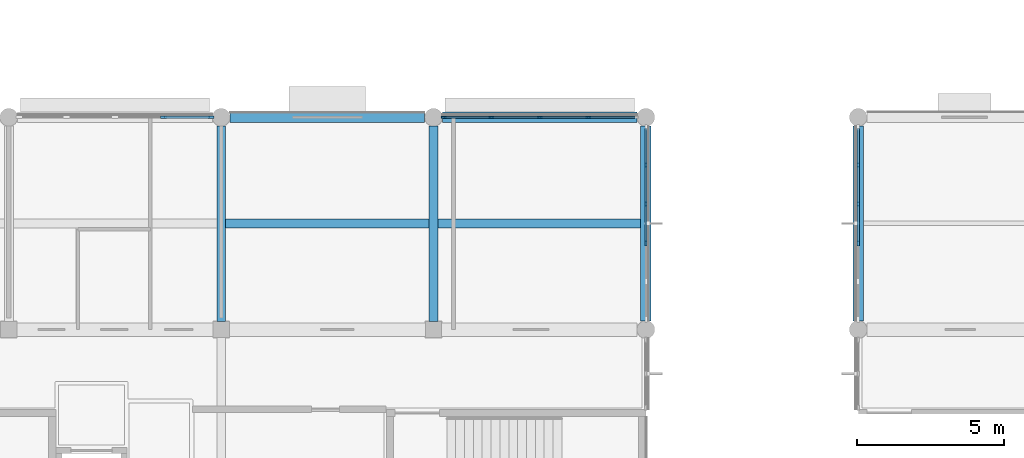
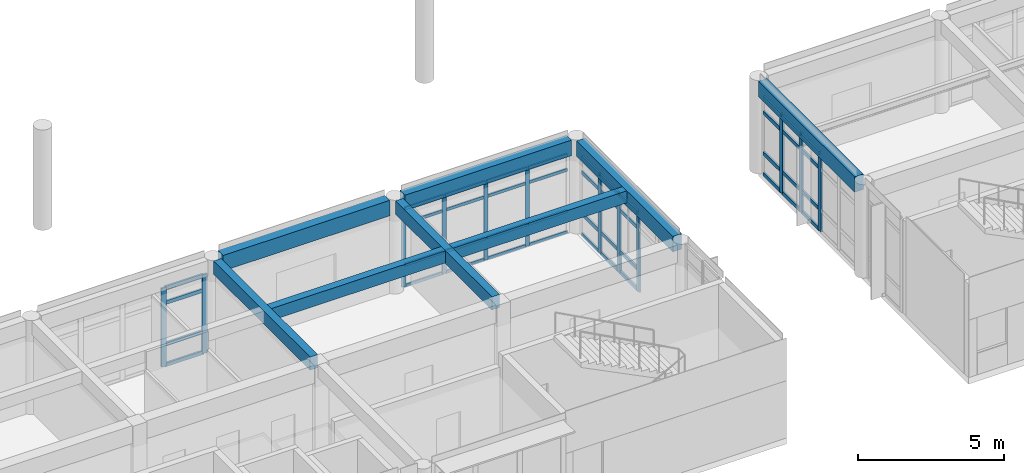
# One storey, part 6 of 29: 56 members, 8 beams, 4 elements without a shape of their own.
"""IFC4 building model written with IfcOpenShell, lengths in metres."""

from ifc_helpers import new_model, si_unit, direction, frame, origin, origin_2d, place, context, subcontext, project, spatial, rectangle, extrude, material, layer, layer_set, material_profile, profile_set, type_object, element, aggregate, save


model = new_model("IFC4")

# Units and contexts
model_context = context("Model", 3, precision=1e-05, world=origin(), true_north=direction((0.0, 1.0)))
body_context = subcontext(model_context, "Body", "Model", "MODEL_VIEW")
ifc_project = project(units=[si_unit("LENGTHUNIT", "METRE"), si_unit("AREAUNIT", "SQUARE_METRE"), si_unit("VOLUMEUNIT", "CUBIC_METRE"), si_unit("PLANEANGLEUNIT", "RADIAN"), si_unit("MASSUNIT", "GRAM", prefix="KILO")], contexts=[model_context])

# Site, building, storey
site_placement = place(None, origin())
site = spatial("IfcSite", under=ifc_project, at=site_placement, CompositionType="ELEMENT")
building_placement = place(site_placement, origin())
building = spatial("IfcBuilding", under=site, at=building_placement, Name="Namkhue Oval Health Centre", CompositionType="ELEMENT")
storey_placement = place(building_placement, frame((0.0, 0.0, 18.0)))
storey = spatial("IfcBuildingStorey", under=building, at=storey_placement, Name="L04", CompositionType="ELEMENT", Elevation=18.0)

# Curtain wall, members
ifc_material_1 = material(Name="Anodised aluminium EN AW-6063 T6", Category="aluminium")
ifc_layer_1 = layer(ifc_material_1, 0.159912109375)
ifc_layer_set_1 = layer_set([ifc_layer_1], Name="Anodised aluminium EN AW-6063 T6")
curtain_wall_type_1 = type_object("IfcCurtainWallType", Name="UNITISED CURTAIN WALL M1500", PredefinedType="NOTDEFINED", material=ifc_layer_set_1)
curtain_wall_1_placement = place(storey_placement, origin())
curtain_wall_1 = element("IfcCurtainWall", 1, at=curtain_wall_1_placement, inside=storey, type_object=curtain_wall_type_1, Name="Volume V2 L04 Unitised Curtain Wall 81", PredefinedType="NOTDEFINED")
ifc_material_profile_1 = material_profile(ifc_material_1, rectangle(XDim=0.06494140625, YDim=0.159912109375, at=origin_2d()), Name="ALU 65x160")
ifc_profile_set_1 = profile_set([ifc_material_profile_1], Name="Anodised aluminium EN AW-6063 T6")
member_type_1 = type_object("IfcMemberType", Name="CURTAIN WALL MULLION 65X160", PredefinedType="MULLION", material=ifc_profile_set_1)
member_1_placement = place(storey_placement, frame((84.445068359375, 104.39990234375, 0.0), z_axis=(0.0, 0.0, 1.0), x_axis=(0.0, -1.0, 0.0)))
member_1 = element("IfcMember", 2, at=member_1_placement, type_object=member_type_1, Name="CW-03 mullion 2", PredefinedType="MULLION", context=body_context, shape_type="SweptSolid", body=[
    extrude(rectangle(XDim=0.06494140625, YDim=0.159912109375, at=origin_2d()), origin(), (0.0, 0.0, 1.0), 3.2900390625),
])
member_2_placement = place(storey_placement, frame((82.800048828125, 104.39990234375, 0.0), z_axis=(0.0, 0.0, 1.0), x_axis=(0.0, -1.0, 0.0)))
member_2 = element("IfcMember", 3, at=member_2_placement, type_object=member_type_1, Name="CW-03 mullion 3", PredefinedType="MULLION", context=body_context, shape_type="SweptSolid", body=[
    extrude(rectangle(XDim=0.06494140625, YDim=0.159912109375, at=origin_2d()), origin(), (0.0, 0.0, 1.0), 3.2900390625),
])
member_3_placement = place(storey_placement, frame((81.155029296875, 104.39990234375, 0.0), z_axis=(0.0, 0.0, 1.0), x_axis=(0.0, -1.0, 0.0)))
member_3 = element("IfcMember", 4, at=member_3_placement, type_object=member_type_1, Name="CW-03 mullion 4", PredefinedType="MULLION", context=body_context, shape_type="SweptSolid", body=[
    extrude(rectangle(XDim=0.06494140625, YDim=0.159912109375, at=origin_2d()), origin(), (0.0, 0.0, 1.0), 3.2900390625),
])
member_4_placement = place(storey_placement, frame((79.54248046875, 104.39990234375, 0.0), z_axis=(0.0, 0.0, 1.0), x_axis=(0.0, -1.0, 0.0)))
member_4 = element("IfcMember", 5, at=member_4_placement, type_object=member_type_1, Name="CW-03 mullion 5", PredefinedType="MULLION", context=body_context, shape_type="SweptSolid", body=[
    extrude(rectangle(XDim=0.06494140625, YDim=0.159912109375, at=origin_2d()), origin(), (0.0, 0.0, 1.0), 3.2900390625),
])

ifc_layer_2 = layer(ifc_material_1, 0.159912109375)
ifc_layer_set_2 = layer_set([ifc_layer_2], Name="Anodised aluminium EN AW-6063 T6")
curtain_wall_type_2 = type_object("IfcCurtainWallType", Name="UNITISED CURTAIN WALL M1350", PredefinedType="NOTDEFINED", material=ifc_layer_set_2)
curtain_wall_2_placement = place(storey_placement, origin())
curtain_wall_2 = element("IfcCurtainWall", 6, at=curtain_wall_2_placement, inside=storey, type_object=curtain_wall_type_2, Name="Volume V2 L04 Unitised Curtain Wall 80", PredefinedType="NOTDEFINED")
ifc_material_profile_2 = material_profile(ifc_material_1, rectangle(XDim=0.074951171875, YDim=0.199951171875, at=origin_2d()), Name="ALU 75x200")
ifc_profile_set_2 = profile_set([ifc_material_profile_2], Name="Anodised aluminium EN AW-6063 T6")
member_type_2 = type_object("IfcMemberType", Name="CURTAIN WALL MULLION 75X200", PredefinedType="MULLION", material=ifc_profile_set_2)
member_5_placement = place(storey_placement, frame((86.39990234375, 100.14208984375, 0.0), z_axis=(0.0, 0.0, 1.0), x_axis=(-1.0, 0.0, 0.0)))
member_5 = element("IfcMember", 7, at=member_5_placement, type_object=member_type_2, Name="CW-02 mullion 3", PredefinedType="MULLION", context=body_context, shape_type="SweptSolid", body=[
    extrude(rectangle(XDim=0.074951171875, YDim=0.199951171875, at=origin_2d()), origin(), (0.0, 0.0, 1.0), 3.2900390625),
])
member_6_placement = place(storey_placement, frame((86.39990234375, 101.4580078125, 0.0), z_axis=(0.0, 0.0, 1.0), x_axis=(-1.0, 0.0, 0.0)))
member_6 = element("IfcMember", 8, at=member_6_placement, type_object=member_type_2, Name="CW-02 mullion 4", PredefinedType="MULLION", context=body_context, shape_type="SweptSolid", body=[
    extrude(rectangle(XDim=0.074951171875, YDim=0.199951171875, at=origin_2d()), origin(), (0.0, 0.0, 1.0), 3.2900390625),
])
member_7_placement = place(storey_placement, frame((86.39990234375, 102.77392578125, 0.0), z_axis=(0.0, 0.0, 1.0), x_axis=(-1.0, 0.0, 0.0)))
member_7 = element("IfcMember", 9, at=member_7_placement, type_object=member_type_2, Name="CW-02 mullion 5", PredefinedType="MULLION", context=body_context, shape_type="SweptSolid", body=[
    extrude(rectangle(XDim=0.074951171875, YDim=0.199951171875, at=origin_2d()), origin(), (0.0, 0.0, 1.0), 3.2900390625),
])

ifc_layer_3 = layer(ifc_material_1, 0.159912109375)
ifc_layer_set_3 = layer_set([ifc_layer_3], Name="Anodised aluminium EN AW-6063 T6")
curtain_wall_type_3 = type_object("IfcCurtainWallType", Name="UNITISED CURTAIN WALL M1600", PredefinedType="NOTDEFINED", material=ifc_layer_set_3)
curtain_wall_3_placement = place(storey_placement, origin())
curtain_wall_3 = element("IfcCurtainWall", 10, at=curtain_wall_3_placement, inside=storey, type_object=curtain_wall_type_3, Name="Volume V2 L04 Unitised Curtain Wall 82", PredefinedType="NOTDEFINED")
member_8_placement = place(storey_placement, frame((71.652587890625, 104.39990234375, 0.0), z_axis=(0.0, 0.0, 1.0), x_axis=(0.0, -1.0, 0.0)))
member_8 = element("IfcMember", 11, at=member_8_placement, type_object=member_type_2, Name="CW-04 mullion 1", PredefinedType="MULLION", context=body_context, shape_type="SweptSolid", body=[
    extrude(rectangle(XDim=0.074951171875, YDim=0.199951171875, at=origin_2d()), origin(), (0.0, 0.0, 1.0), 3.2900390625),
])
member_9_placement = place(storey_placement, frame((70.044921875, 104.39990234375, 0.0), z_axis=(0.0, 0.0, 1.0), x_axis=(0.0, -1.0, 0.0)))
member_9 = element("IfcMember", 12, at=member_9_placement, type_object=member_type_2, Name="CW-04 mullion 2", PredefinedType="MULLION", context=body_context, shape_type="SweptSolid", body=[
    extrude(rectangle(XDim=0.074951171875, YDim=0.199951171875, at=origin_2d()), origin(), (0.0, 0.0, 1.0), 3.2900390625),
])

curtain_wall_4_placement = place(storey_placement, origin())
curtain_wall_4 = element("IfcCurtainWall", 13, at=curtain_wall_4_placement, inside=storey, type_object=curtain_wall_type_2, Name="Volume V3 L04 Unitised Curtain Wall 128", PredefinedType="NOTDEFINED")
member_10_placement = place(storey_placement, frame((93.60009765625, 102.77392578125, 0.0), z_axis=(0.0, 0.0, 1.0), x_axis=(1.0, 0.0, 0.0)))
member_10 = element("IfcMember", 14, at=member_10_placement, type_object=member_type_2, Name="CW-02 mullion 2", PredefinedType="MULLION", context=body_context, shape_type="SweptSolid", body=[
    extrude(rectangle(XDim=0.074951171875, YDim=0.199951171875, at=origin_2d()), origin(), (0.0, 0.0, 1.0), 3.264892578125),
])
member_11_placement = place(storey_placement, frame((93.60009765625, 101.4580078125, 0.0), z_axis=(0.0, 0.0, 1.0), x_axis=(1.0, 0.0, 0.0)))
member_11 = element("IfcMember", 15, at=member_11_placement, type_object=member_type_2, Name="CW-02 mullion 3", PredefinedType="MULLION", context=body_context, shape_type="SweptSolid", body=[
    extrude(rectangle(XDim=0.074951171875, YDim=0.199951171875, at=origin_2d()), origin(), (0.0, 0.0, 1.0), 3.264892578125),
])
member_12_placement = place(storey_placement, frame((93.60009765625, 100.14208984375, 0.0), z_axis=(0.0, 0.0, 1.0), x_axis=(1.0, 0.0, 0.0)))
member_12 = element("IfcMember", 16, at=member_12_placement, type_object=member_type_2, Name="CW-02 mullion 4", PredefinedType="MULLION", context=body_context, shape_type="SweptSolid", body=[
    extrude(rectangle(XDim=0.074951171875, YDim=0.199951171875, at=origin_2d()), origin(), (0.0, 0.0, 1.0), 3.264892578125),
])

# Member
ifc_material_profile_3 = material_profile(ifc_material_1, rectangle(XDim=0.06494140625, YDim=0.1201171875, at=origin_2d()), Name="ALU 65x120")
ifc_profile_set_3 = profile_set([ifc_material_profile_3], Name="Anodised aluminium EN AW-6063 T6")
member_type_3 = type_object("IfcMemberType", Name="CURTAIN WALL TRANSOM 65X120", PredefinedType="USERDEFINED", material=ifc_profile_set_3)
member_13_placement = place(storey_placement, frame((86.02490234375, 104.39990234375, 0.032470703125), z_axis=(-1.0, 0.0, 0.0), x_axis=(0.0, -1.0, 0.0)))
member_13 = element("IfcMember", 17, at=member_13_placement, type_object=member_type_3, Name="CW-03 transom 1.1", ObjectType="TRANSOM", PredefinedType="USERDEFINED", context=body_context, shape_type="SweptSolid", body=[
    extrude(rectangle(XDim=0.06494140625, YDim=0.1201171875, at=origin_2d()), origin(), (0.0, 0.0, 1.0), 1.54736328125),
])

member_14_placement = place(storey_placement, frame((86.02490234375, 104.39990234375, 0.89990234375), z_axis=(-1.0, 0.0, 0.0), x_axis=(0.0, -1.0, 0.0)))
member_14 = element("IfcMember", 18, at=member_14_placement, type_object=member_type_3, Name="CW-03 transom 1.2", ObjectType="TRANSOM", PredefinedType="USERDEFINED", context=body_context, shape_type="SweptSolid", body=[
    extrude(rectangle(XDim=0.06494140625, YDim=0.1201171875, at=origin_2d()), origin(), (0.0, 0.0, 1.0), 1.54736328125),
])

member_15_placement = place(storey_placement, frame((86.02490234375, 104.39990234375, 2.639892578125), z_axis=(-1.0, 0.0, 0.0), x_axis=(0.0, -1.0, 0.0)))
member_15 = element("IfcMember", 19, at=member_15_placement, type_object=member_type_3, Name="CW-03 transom 1.3", ObjectType="TRANSOM", PredefinedType="USERDEFINED", context=body_context, shape_type="SweptSolid", body=[
    extrude(rectangle(XDim=0.06494140625, YDim=0.1201171875, at=origin_2d()), origin(), (0.0, 0.0, 1.0), 1.54736328125),
])

member_16_placement = place(storey_placement, frame((86.02490234375, 104.39990234375, 3.257568359375), z_axis=(-1.0, 0.0, 0.0), x_axis=(0.0, -1.0, 0.0)))
member_16 = element("IfcMember", 20, at=member_16_placement, type_object=member_type_3, Name="CW-03 transom 1.4", ObjectType="TRANSOM", PredefinedType="USERDEFINED", context=body_context, shape_type="SweptSolid", body=[
    extrude(rectangle(XDim=0.06494140625, YDim=0.1201171875, at=origin_2d()), origin(), (0.0, 0.0, 1.0), 1.54736328125),
])

member_17_placement = place(storey_placement, frame((84.41259765625, 104.39990234375, 0.032470703125), z_axis=(-1.0, 0.0, 0.0), x_axis=(0.0, -1.0, 0.0)))
member_17 = element("IfcMember", 21, at=member_17_placement, type_object=member_type_3, Name="CW-03 transom 2.1", ObjectType="TRANSOM", PredefinedType="USERDEFINED", context=body_context, shape_type="SweptSolid", body=[
    extrude(rectangle(XDim=0.06494140625, YDim=0.1201171875, at=origin_2d()), origin(), (0.0, 0.0, 1.0), 1.580078125),
])

member_18_placement = place(storey_placement, frame((84.41259765625, 104.39990234375, 0.89990234375), z_axis=(-1.0, 0.0, 0.0), x_axis=(0.0, -1.0, 0.0)))
member_18 = element("IfcMember", 22, at=member_18_placement, type_object=member_type_3, Name="CW-03 transom 2.2", ObjectType="TRANSOM", PredefinedType="USERDEFINED", context=body_context, shape_type="SweptSolid", body=[
    extrude(rectangle(XDim=0.06494140625, YDim=0.1201171875, at=origin_2d()), origin(), (0.0, 0.0, 1.0), 1.580078125),
])

member_19_placement = place(storey_placement, frame((84.41259765625, 104.39990234375, 2.639892578125), z_axis=(-1.0, 0.0, 0.0), x_axis=(0.0, -1.0, 0.0)))
member_19 = element("IfcMember", 23, at=member_19_placement, type_object=member_type_3, Name="CW-03 transom 2.3", ObjectType="TRANSOM", PredefinedType="USERDEFINED", context=body_context, shape_type="SweptSolid", body=[
    extrude(rectangle(XDim=0.06494140625, YDim=0.1201171875, at=origin_2d()), origin(), (0.0, 0.0, 1.0), 1.580078125),
])

member_20_placement = place(storey_placement, frame((84.41259765625, 104.39990234375, 3.257568359375), z_axis=(-1.0, 0.0, 0.0), x_axis=(0.0, -1.0, 0.0)))
member_20 = element("IfcMember", 24, at=member_20_placement, type_object=member_type_3, Name="CW-03 transom 2.4", ObjectType="TRANSOM", PredefinedType="USERDEFINED", context=body_context, shape_type="SweptSolid", body=[
    extrude(rectangle(XDim=0.06494140625, YDim=0.1201171875, at=origin_2d()), origin(), (0.0, 0.0, 1.0), 1.580078125),
])

member_21_placement = place(storey_placement, frame((82.767578125, 104.39990234375, 0.032470703125), z_axis=(-1.0, 0.0, 0.0), x_axis=(0.0, -1.0, 0.0)))
member_21 = element("IfcMember", 25, at=member_21_placement, type_object=member_type_3, Name="CW-03 transom 3.1", ObjectType="TRANSOM", PredefinedType="USERDEFINED", context=body_context, shape_type="SweptSolid", body=[
    extrude(rectangle(XDim=0.06494140625, YDim=0.1201171875, at=origin_2d()), origin(), (0.0, 0.0, 1.0), 1.580078125),
])

member_22_placement = place(storey_placement, frame((82.767578125, 104.39990234375, 0.89990234375), z_axis=(-1.0, 0.0, 0.0), x_axis=(0.0, -1.0, 0.0)))
member_22 = element("IfcMember", 26, at=member_22_placement, type_object=member_type_3, Name="CW-03 transom 3.2", ObjectType="TRANSOM", PredefinedType="USERDEFINED", context=body_context, shape_type="SweptSolid", body=[
    extrude(rectangle(XDim=0.06494140625, YDim=0.1201171875, at=origin_2d()), origin(), (0.0, 0.0, 1.0), 1.580078125),
])

member_23_placement = place(storey_placement, frame((82.767578125, 104.39990234375, 2.639892578125), z_axis=(-1.0, 0.0, 0.0), x_axis=(0.0, -1.0, 0.0)))
member_23 = element("IfcMember", 27, at=member_23_placement, type_object=member_type_3, Name="CW-03 transom 3.3", ObjectType="TRANSOM", PredefinedType="USERDEFINED", context=body_context, shape_type="SweptSolid", body=[
    extrude(rectangle(XDim=0.06494140625, YDim=0.1201171875, at=origin_2d()), origin(), (0.0, 0.0, 1.0), 1.580078125),
])

member_24_placement = place(storey_placement, frame((82.767578125, 104.39990234375, 3.257568359375), z_axis=(-1.0, 0.0, 0.0), x_axis=(0.0, -1.0, 0.0)))
member_24 = element("IfcMember", 28, at=member_24_placement, type_object=member_type_3, Name="CW-03 transom 3.4", ObjectType="TRANSOM", PredefinedType="USERDEFINED", context=body_context, shape_type="SweptSolid", body=[
    extrude(rectangle(XDim=0.06494140625, YDim=0.1201171875, at=origin_2d()), origin(), (0.0, 0.0, 1.0), 1.580078125),
])

member_25_placement = place(storey_placement, frame((81.12255859375, 104.39990234375, 0.032470703125), z_axis=(-1.0, 0.0, 0.0), x_axis=(0.0, -1.0, 0.0)))
member_25 = element("IfcMember", 29, at=member_25_placement, type_object=member_type_3, Name="CW-03 transom 4.1", ObjectType="TRANSOM", PredefinedType="USERDEFINED", context=body_context, shape_type="SweptSolid", body=[
    extrude(rectangle(XDim=0.06494140625, YDim=0.1201171875, at=origin_2d()), origin(), (0.0, 0.0, 1.0), 1.547607421875),
])

member_26_placement = place(storey_placement, frame((81.12255859375, 104.39990234375, 0.89990234375), z_axis=(-1.0, 0.0, 0.0), x_axis=(0.0, -1.0, 0.0)))
member_26 = element("IfcMember", 30, at=member_26_placement, type_object=member_type_3, Name="CW-03 transom 4.2", ObjectType="TRANSOM", PredefinedType="USERDEFINED", context=body_context, shape_type="SweptSolid", body=[
    extrude(rectangle(XDim=0.06494140625, YDim=0.1201171875, at=origin_2d()), origin(), (0.0, 0.0, 1.0), 1.547607421875),
])

member_27_placement = place(storey_placement, frame((81.12255859375, 104.39990234375, 2.639892578125), z_axis=(-1.0, 0.0, 0.0), x_axis=(0.0, -1.0, 0.0)))
member_27 = element("IfcMember", 31, at=member_27_placement, type_object=member_type_3, Name="CW-03 transom 4.3", ObjectType="TRANSOM", PredefinedType="USERDEFINED", context=body_context, shape_type="SweptSolid", body=[
    extrude(rectangle(XDim=0.06494140625, YDim=0.1201171875, at=origin_2d()), origin(), (0.0, 0.0, 1.0), 1.547607421875),
])

member_28_placement = place(storey_placement, frame((81.12255859375, 104.39990234375, 3.257568359375), z_axis=(-1.0, 0.0, 0.0), x_axis=(0.0, -1.0, 0.0)))
member_28 = element("IfcMember", 32, at=member_28_placement, type_object=member_type_3, Name="CW-03 transom 4.4", ObjectType="TRANSOM", PredefinedType="USERDEFINED", context=body_context, shape_type="SweptSolid", body=[
    extrude(rectangle(XDim=0.06494140625, YDim=0.1201171875, at=origin_2d()), origin(), (0.0, 0.0, 1.0), 1.547607421875),
])

aggregate(curtain_wall_1, [member_1, member_2, member_3, member_4, member_13, member_14, member_15, member_16, member_17, member_18, member_19, member_20, member_21, member_22, member_23, member_24, member_25, member_26, member_27, member_28])

ifc_material_profile_4 = material_profile(ifc_material_1, rectangle(XDim=0.074951171875, YDim=0.14990234375, at=origin_2d()), Name="ALU 75x150")
ifc_profile_set_4 = profile_set([ifc_material_profile_4], Name="Anodised aluminium EN AW-6063 T6")
member_type_4 = type_object("IfcMemberType", Name="CURTAIN WALL TRANSOM 75X150", PredefinedType="USERDEFINED", material=ifc_profile_set_4)
member_29_placement = place(storey_placement, frame((86.39990234375, 100.179443359375, 0.03759765625), z_axis=(0.0, 1.0, 0.0), x_axis=(-1.0, 0.0, 0.0)))
member_29 = element("IfcMember", 33, at=member_29_placement, type_object=member_type_4, Name="CW-02 transom 3.1", ObjectType="TRANSOM", PredefinedType="USERDEFINED", context=body_context, shape_type="SweptSolid", body=[
    extrude(rectangle(XDim=0.074951171875, YDim=0.14990234375, at=origin_2d()), origin(), (0.0, 0.0, 1.0), 1.240966796875),
])

member_30_placement = place(storey_placement, frame((86.39990234375, 100.179443359375, 0.89990234375), z_axis=(0.0, 1.0, 0.0), x_axis=(-1.0, 0.0, 0.0)))
member_30 = element("IfcMember", 34, at=member_30_placement, type_object=member_type_4, Name="CW-02 transom 3.2", ObjectType="TRANSOM", PredefinedType="USERDEFINED", context=body_context, shape_type="SweptSolid", body=[
    extrude(rectangle(XDim=0.074951171875, YDim=0.14990234375, at=origin_2d()), origin(), (0.0, 0.0, 1.0), 1.240966796875),
])

member_31_placement = place(storey_placement, frame((86.39990234375, 100.179443359375, 2.639892578125), z_axis=(0.0, 1.0, 0.0), x_axis=(-1.0, 0.0, 0.0)))
member_31 = element("IfcMember", 35, at=member_31_placement, type_object=member_type_4, Name="CW-02 transom 3.3", ObjectType="TRANSOM", PredefinedType="USERDEFINED", context=body_context, shape_type="SweptSolid", body=[
    extrude(rectangle(XDim=0.074951171875, YDim=0.14990234375, at=origin_2d()), origin(), (0.0, 0.0, 1.0), 1.240966796875),
])

member_32_placement = place(storey_placement, frame((86.39990234375, 100.179443359375, 3.25244140625), z_axis=(0.0, 1.0, 0.0), x_axis=(-1.0, 0.0, 0.0)))
member_32 = element("IfcMember", 36, at=member_32_placement, type_object=member_type_4, Name="CW-02 transom 3.4", ObjectType="TRANSOM", PredefinedType="USERDEFINED", context=body_context, shape_type="SweptSolid", body=[
    extrude(rectangle(XDim=0.074951171875, YDim=0.14990234375, at=origin_2d()), origin(), (0.0, 0.0, 1.0), 1.240966796875),
])

member_33_placement = place(storey_placement, frame((86.39990234375, 101.49560546875, 0.03759765625), z_axis=(0.0, 1.0, 0.0), x_axis=(-1.0, 0.0, 0.0)))
member_33 = element("IfcMember", 37, at=member_33_placement, type_object=member_type_4, Name="CW-02 transom 4.1", ObjectType="TRANSOM", PredefinedType="USERDEFINED", context=body_context, shape_type="SweptSolid", body=[
    extrude(rectangle(XDim=0.074951171875, YDim=0.14990234375, at=origin_2d()), origin(), (0.0, 0.0, 1.0), 1.240966796875),
])

member_34_placement = place(storey_placement, frame((86.39990234375, 101.49560546875, 0.89990234375), z_axis=(0.0, 1.0, 0.0), x_axis=(-1.0, 0.0, 0.0)))
member_34 = element("IfcMember", 38, at=member_34_placement, type_object=member_type_4, Name="CW-02 transom 4.2", ObjectType="TRANSOM", PredefinedType="USERDEFINED", context=body_context, shape_type="SweptSolid", body=[
    extrude(rectangle(XDim=0.074951171875, YDim=0.14990234375, at=origin_2d()), origin(), (0.0, 0.0, 1.0), 1.240966796875),
])

member_35_placement = place(storey_placement, frame((86.39990234375, 101.49560546875, 2.639892578125), z_axis=(0.0, 1.0, 0.0), x_axis=(-1.0, 0.0, 0.0)))
member_35 = element("IfcMember", 39, at=member_35_placement, type_object=member_type_4, Name="CW-02 transom 4.3", ObjectType="TRANSOM", PredefinedType="USERDEFINED", context=body_context, shape_type="SweptSolid", body=[
    extrude(rectangle(XDim=0.074951171875, YDim=0.14990234375, at=origin_2d()), origin(), (0.0, 0.0, 1.0), 1.240966796875),
])

member_36_placement = place(storey_placement, frame((86.39990234375, 101.49560546875, 3.25244140625), z_axis=(0.0, 1.0, 0.0), x_axis=(-1.0, 0.0, 0.0)))
member_36 = element("IfcMember", 40, at=member_36_placement, type_object=member_type_4, Name="CW-02 transom 4.4", ObjectType="TRANSOM", PredefinedType="USERDEFINED", context=body_context, shape_type="SweptSolid", body=[
    extrude(rectangle(XDim=0.074951171875, YDim=0.14990234375, at=origin_2d()), origin(), (0.0, 0.0, 1.0), 1.240966796875),
])

member_37_placement = place(storey_placement, frame((86.39990234375, 102.8115234375, 0.03759765625), z_axis=(0.0, 1.0, 0.0), x_axis=(-1.0, 0.0, 0.0)))
member_37 = element("IfcMember", 41, at=member_37_placement, type_object=member_type_4, Name="CW-02 transom 5.1", ObjectType="TRANSOM", PredefinedType="USERDEFINED", context=body_context, shape_type="SweptSolid", body=[
    extrude(rectangle(XDim=0.074951171875, YDim=0.14990234375, at=origin_2d()), origin(), (0.0, 0.0, 1.0), 1.203369140625),
])

member_38_placement = place(storey_placement, frame((86.39990234375, 102.8115234375, 0.89990234375), z_axis=(0.0, 1.0, 0.0), x_axis=(-1.0, 0.0, 0.0)))
member_38 = element("IfcMember", 42, at=member_38_placement, type_object=member_type_4, Name="CW-02 transom 5.2", ObjectType="TRANSOM", PredefinedType="USERDEFINED", context=body_context, shape_type="SweptSolid", body=[
    extrude(rectangle(XDim=0.074951171875, YDim=0.14990234375, at=origin_2d()), origin(), (0.0, 0.0, 1.0), 1.203369140625),
])

member_39_placement = place(storey_placement, frame((86.39990234375, 102.8115234375, 2.639892578125), z_axis=(0.0, 1.0, 0.0), x_axis=(-1.0, 0.0, 0.0)))
member_39 = element("IfcMember", 43, at=member_39_placement, type_object=member_type_4, Name="CW-02 transom 5.3", ObjectType="TRANSOM", PredefinedType="USERDEFINED", context=body_context, shape_type="SweptSolid", body=[
    extrude(rectangle(XDim=0.074951171875, YDim=0.14990234375, at=origin_2d()), origin(), (0.0, 0.0, 1.0), 1.203369140625),
])

member_40_placement = place(storey_placement, frame((86.39990234375, 102.8115234375, 3.25244140625), z_axis=(0.0, 1.0, 0.0), x_axis=(-1.0, 0.0, 0.0)))
member_40 = element("IfcMember", 44, at=member_40_placement, type_object=member_type_4, Name="CW-02 transom 5.4", ObjectType="TRANSOM", PredefinedType="USERDEFINED", context=body_context, shape_type="SweptSolid", body=[
    extrude(rectangle(XDim=0.074951171875, YDim=0.14990234375, at=origin_2d()), origin(), (0.0, 0.0, 1.0), 1.203369140625),
])

aggregate(curtain_wall_2, [member_5, member_6, member_7, member_29, member_30, member_31, member_32, member_33, member_34, member_35, member_36, member_37, member_38, member_39, member_40])

member_41_placement = place(storey_placement, frame((71.614990234375, 104.39990234375, 0.03759765625), z_axis=(-1.0, 0.0, 0.0), x_axis=(0.0, -1.0, 0.0)))
member_41 = element("IfcMember", 45, at=member_41_placement, type_object=member_type_4, Name="CW-04 transom 1.1", ObjectType="TRANSOM", PredefinedType="USERDEFINED", context=body_context, shape_type="SweptSolid", body=[
    extrude(rectangle(XDim=0.074951171875, YDim=0.14990234375, at=origin_2d()), origin(), (0.0, 0.0, 1.0), 1.532470703125),
])

member_42_placement = place(storey_placement, frame((71.614990234375, 104.39990234375, 0.89990234375), z_axis=(-1.0, 0.0, 0.0), x_axis=(0.0, -1.0, 0.0)))
member_42 = element("IfcMember", 46, at=member_42_placement, type_object=member_type_4, Name="CW-04 transom 1.2", ObjectType="TRANSOM", PredefinedType="USERDEFINED", context=body_context, shape_type="SweptSolid", body=[
    extrude(rectangle(XDim=0.074951171875, YDim=0.14990234375, at=origin_2d()), origin(), (0.0, 0.0, 1.0), 1.532470703125),
])

member_43_placement = place(storey_placement, frame((71.614990234375, 104.39990234375, 2.639892578125), z_axis=(-1.0, 0.0, 0.0), x_axis=(0.0, -1.0, 0.0)))
member_43 = element("IfcMember", 47, at=member_43_placement, type_object=member_type_4, Name="CW-04 transom 1.3", ObjectType="TRANSOM", PredefinedType="USERDEFINED", context=body_context, shape_type="SweptSolid", body=[
    extrude(rectangle(XDim=0.074951171875, YDim=0.14990234375, at=origin_2d()), origin(), (0.0, 0.0, 1.0), 1.532470703125),
])

member_44_placement = place(storey_placement, frame((71.614990234375, 104.39990234375, 3.25244140625), z_axis=(-1.0, 0.0, 0.0), x_axis=(0.0, -1.0, 0.0)))
member_44 = element("IfcMember", 48, at=member_44_placement, type_object=member_type_4, Name="CW-04 transom 1.4", ObjectType="TRANSOM", PredefinedType="USERDEFINED", context=body_context, shape_type="SweptSolid", body=[
    extrude(rectangle(XDim=0.074951171875, YDim=0.14990234375, at=origin_2d()), origin(), (0.0, 0.0, 1.0), 1.532470703125),
])

aggregate(curtain_wall_3, [member_8, member_9, member_41, member_42, member_43, member_44])

member_45_placement = place(storey_placement, frame((93.60009765625, 104.014892578125, 0.03759765625), z_axis=(0.0, -1.0, 0.0), x_axis=(1.0, 0.0, 0.0)))
member_45 = element("IfcMember", 49, at=member_45_placement, type_object=member_type_4, Name="CW-02 transom 1.1", ObjectType="TRANSOM", PredefinedType="USERDEFINED", context=body_context, shape_type="SweptSolid", body=[
    extrude(rectangle(XDim=0.074951171875, YDim=0.14990234375, at=origin_2d()), origin(), (0.0, 0.0, 1.0), 1.203369140625),
])

member_46_placement = place(storey_placement, frame((93.60009765625, 104.014892578125, 0.89990234375), z_axis=(0.0, -1.0, 0.0), x_axis=(1.0, 0.0, 0.0)))
member_46 = element("IfcMember", 50, at=member_46_placement, type_object=member_type_4, Name="CW-02 transom 1.2", ObjectType="TRANSOM", PredefinedType="USERDEFINED", context=body_context, shape_type="SweptSolid", body=[
    extrude(rectangle(XDim=0.074951171875, YDim=0.14990234375, at=origin_2d()), origin(), (0.0, 0.0, 1.0), 1.203369140625),
])

member_47_placement = place(storey_placement, frame((93.60009765625, 104.014892578125, 2.614990234375), z_axis=(0.0, -1.0, 0.0), x_axis=(1.0, 0.0, 0.0)))
member_47 = element("IfcMember", 51, at=member_47_placement, type_object=member_type_4, Name="CW-02 transom 1.3", ObjectType="TRANSOM", PredefinedType="USERDEFINED", context=body_context, shape_type="SweptSolid", body=[
    extrude(rectangle(XDim=0.074951171875, YDim=0.14990234375, at=origin_2d()), origin(), (0.0, 0.0, 1.0), 1.203369140625),
])

member_48_placement = place(storey_placement, frame((93.60009765625, 104.014892578125, 3.2275390625), z_axis=(0.0, -1.0, 0.0), x_axis=(1.0, 0.0, 0.0)))
member_48 = element("IfcMember", 52, at=member_48_placement, type_object=member_type_4, Name="CW-02 transom 1.4", ObjectType="TRANSOM", PredefinedType="USERDEFINED", context=body_context, shape_type="SweptSolid", body=[
    extrude(rectangle(XDim=0.074951171875, YDim=0.14990234375, at=origin_2d()), origin(), (0.0, 0.0, 1.0), 1.203369140625),
])

member_49_placement = place(storey_placement, frame((93.60009765625, 102.736572265625, 0.03759765625), z_axis=(0.0, -1.0, 0.0), x_axis=(1.0, 0.0, 0.0)))
member_49 = element("IfcMember", 53, at=member_49_placement, type_object=member_type_4, Name="CW-02 transom 2.1", ObjectType="TRANSOM", PredefinedType="USERDEFINED", context=body_context, shape_type="SweptSolid", body=[
    extrude(rectangle(XDim=0.074951171875, YDim=0.14990234375, at=origin_2d()), origin(), (0.0, 0.0, 1.0), 1.240966796875),
])

member_50_placement = place(storey_placement, frame((93.60009765625, 102.736572265625, 0.89990234375), z_axis=(0.0, -1.0, 0.0), x_axis=(1.0, 0.0, 0.0)))
member_50 = element("IfcMember", 54, at=member_50_placement, type_object=member_type_4, Name="CW-02 transom 2.2", ObjectType="TRANSOM", PredefinedType="USERDEFINED", context=body_context, shape_type="SweptSolid", body=[
    extrude(rectangle(XDim=0.074951171875, YDim=0.14990234375, at=origin_2d()), origin(), (0.0, 0.0, 1.0), 1.240966796875),
])

member_51_placement = place(storey_placement, frame((93.60009765625, 102.736572265625, 2.614990234375), z_axis=(0.0, -1.0, 0.0), x_axis=(1.0, 0.0, 0.0)))
member_51 = element("IfcMember", 55, at=member_51_placement, type_object=member_type_4, Name="CW-02 transom 2.3", ObjectType="TRANSOM", PredefinedType="USERDEFINED", context=body_context, shape_type="SweptSolid", body=[
    extrude(rectangle(XDim=0.074951171875, YDim=0.14990234375, at=origin_2d()), origin(), (0.0, 0.0, 1.0), 1.240966796875),
])

member_52_placement = place(storey_placement, frame((93.60009765625, 102.736572265625, 3.2275390625), z_axis=(0.0, -1.0, 0.0), x_axis=(1.0, 0.0, 0.0)))
member_52 = element("IfcMember", 56, at=member_52_placement, type_object=member_type_4, Name="CW-02 transom 2.4", ObjectType="TRANSOM", PredefinedType="USERDEFINED", context=body_context, shape_type="SweptSolid", body=[
    extrude(rectangle(XDim=0.074951171875, YDim=0.14990234375, at=origin_2d()), origin(), (0.0, 0.0, 1.0), 1.240966796875),
])

member_53_placement = place(storey_placement, frame((93.60009765625, 101.42041015625, 0.03759765625), z_axis=(0.0, -1.0, 0.0), x_axis=(1.0, 0.0, 0.0)))
member_53 = element("IfcMember", 57, at=member_53_placement, type_object=member_type_4, Name="CW-02 transom 3.1", ObjectType="TRANSOM", PredefinedType="USERDEFINED", context=body_context, shape_type="SweptSolid", body=[
    extrude(rectangle(XDim=0.074951171875, YDim=0.14990234375, at=origin_2d()), origin(), (0.0, 0.0, 1.0), 1.240966796875),
])

member_54_placement = place(storey_placement, frame((93.60009765625, 101.42041015625, 0.89990234375), z_axis=(0.0, -1.0, 0.0), x_axis=(1.0, 0.0, 0.0)))
member_54 = element("IfcMember", 58, at=member_54_placement, type_object=member_type_4, Name="CW-02 transom 3.2", ObjectType="TRANSOM", PredefinedType="USERDEFINED", context=body_context, shape_type="SweptSolid", body=[
    extrude(rectangle(XDim=0.074951171875, YDim=0.14990234375, at=origin_2d()), origin(), (0.0, 0.0, 1.0), 1.240966796875),
])

member_55_placement = place(storey_placement, frame((93.60009765625, 101.42041015625, 2.614990234375), z_axis=(0.0, -1.0, 0.0), x_axis=(1.0, 0.0, 0.0)))
member_55 = element("IfcMember", 59, at=member_55_placement, type_object=member_type_4, Name="CW-02 transom 3.3", ObjectType="TRANSOM", PredefinedType="USERDEFINED", context=body_context, shape_type="SweptSolid", body=[
    extrude(rectangle(XDim=0.074951171875, YDim=0.14990234375, at=origin_2d()), origin(), (0.0, 0.0, 1.0), 1.240966796875),
])

member_56_placement = place(storey_placement, frame((93.60009765625, 101.42041015625, 3.2275390625), z_axis=(0.0, -1.0, 0.0), x_axis=(1.0, 0.0, 0.0)))
member_56 = element("IfcMember", 60, at=member_56_placement, type_object=member_type_4, Name="CW-02 transom 3.4", ObjectType="TRANSOM", PredefinedType="USERDEFINED", context=body_context, shape_type="SweptSolid", body=[
    extrude(rectangle(XDim=0.074951171875, YDim=0.14990234375, at=origin_2d()), origin(), (0.0, 0.0, 1.0), 1.240966796875),
])

aggregate(curtain_wall_4, [member_10, member_11, member_12, member_45, member_46, member_47, member_48, member_49, member_50, member_51, member_52, member_53, member_54, member_55, member_56])

# Beams
ifc_material_2 = material(Name="Reinforced concrete C30/37 (TCVN B35)", Category="concrete")
ifc_material_profile_5 = material_profile(ifc_material_2, rectangle(XDim=0.300048828125, YDim=0.550048828125, at=origin_2d()), Name="RC 300x550")
ifc_profile_set_5 = profile_set([ifc_material_profile_5], Name="Reinforced concrete C30/37 (TCVN B35)")
beam_type_1 = type_object("IfcBeamType", Name="FLOOR BEAM RC 300X550", PredefinedType="BEAM", material=ifc_profile_set_5)
for number, where, z_axis, x_axis, name in (
    (61, (72.0, 97.47509765625, 3.6650390625), (0.0, 1.0, 0.0), (-1.0, 0.0, 0.0), "Volume V2 L05 Beam 11/O-P"),
    (62, (79.199951171875, 97.47509765625, 3.6650390625), (0.0, 1.0, 0.0), (-1.0, 0.0, 0.0), "Volume V2 L05 Beam 12/O-P"),
):
    element("IfcBeam", number, at=place(storey_placement, frame(where, z_axis=z_axis, x_axis=x_axis)), inside=storey, type_object=beam_type_1, Name=name, PredefinedType="BEAM", context=body_context, shape_type="SweptSolid", body=[
        extrude(rectangle(XDim=0.300048828125, YDim=0.550048828125, at=origin_2d()), origin(), (0.0, 0.0, 1.0), 6.625),
    ])
ifc_material_3 = material(Name="Reinforced concrete C35/45 (TCVN B40)", Category="concrete")
ifc_material_profile_6 = material_profile(ifc_material_3, rectangle(XDim=0.35009765625, YDim=0.64990234375, at=origin_2d()), Name="RC 350x650")
ifc_profile_set_6 = profile_set([ifc_material_profile_6], Name="Reinforced concrete C35/45 (TCVN B40)")
beam_type_2 = type_object("IfcBeamType", Name="PERIMETER SPANDREL BEAM 350X650", PredefinedType="SPANDREL", material=ifc_profile_set_6)
beam_1_placement = place(storey_placement, frame((72.300048828125, 104.39990234375, 3.614990234375), z_axis=(1.0, 0.0, 0.0), x_axis=(0.0, 1.0, 0.0)))
element("IfcBeam", 63, at=beam_1_placement, inside=storey, type_object=beam_type_2, Name="Volume V2 L05 Girder P/11-12", PredefinedType="SPANDREL", context=body_context, shape_type="SweptSolid", body=[
    extrude(rectangle(XDim=0.35009765625, YDim=0.64990234375, at=origin_2d()), origin(), (0.0, 0.0, 1.0), 6.599853515625),
])
for number, where, z_axis, x_axis, name in (
    (64, (79.5, 104.39990234375, 3.614990234375), (1.0, 0.0, 0.0), (0.0, 1.0, 0.0), "Volume V2 L05 Girder P/12-13"),
    (65, (86.39990234375, 97.5, 3.614990234375), (0.0, 1.0, 0.0), (-1.0, 0.0, 0.0), "Volume V2 L05 Beam 13/O-P"),
    (66, (93.60009765625, 97.5, 3.590087890625), (0.0, 1.0, 0.0), (-1.0, 0.0, 0.0), "Volume V3 L05 Beam 14/O-P"),
):
    element("IfcBeam", number, at=place(storey_placement, frame(where, z_axis=z_axis, x_axis=x_axis)), inside=storey, type_object=beam_type_2, Name=name, PredefinedType="SPANDREL", context=body_context, shape_type="SweptSolid", body=[
        extrude(rectangle(XDim=0.35009765625, YDim=0.64990234375, at=origin_2d()), origin(), (0.0, 0.0, 1.0), 6.60009765625),
    ])
ifc_material_profile_7 = material_profile(ifc_material_2, rectangle(XDim=0.300048828125, YDim=0.5, at=origin_2d()), Name="RC 300x500")
ifc_profile_set_7 = profile_set([ifc_material_profile_7], Name="Reinforced concrete C30/37 (TCVN B35)")
beam_type_3 = type_object("IfcBeamType", Name="SECONDARY JOIST RC 300X500", PredefinedType="JOIST", material=ifc_profile_set_7)
beam_2_placement = place(storey_placement, frame((72.14990234375, 100.800048828125, 3.68994140625), z_axis=(1.0, 0.0, 0.0), x_axis=(0.0, 1.0, 0.0)))
element("IfcBeam", 67, at=beam_2_placement, inside=storey, type_object=beam_type_3, Name="Volume V2 L05 Secondary Joist 11-12", PredefinedType="JOIST", context=body_context, shape_type="SweptSolid", body=[
    extrude(rectangle(XDim=0.300048828125, YDim=0.5, at=origin_2d()), origin(), (0.0, 0.0, 1.0), 6.900146484375),
])
beam_3_placement = place(storey_placement, frame((79.35009765625, 100.800048828125, 3.68994140625), z_axis=(1.0, 0.0, 0.0), x_axis=(0.0, 1.0, 0.0)))
element("IfcBeam", 68, at=beam_3_placement, inside=storey, type_object=beam_type_3, Name="Volume V2 L05 Secondary Joist 12-13", PredefinedType="JOIST", context=body_context, shape_type="SweptSolid", body=[
    extrude(rectangle(XDim=0.300048828125, YDim=0.5, at=origin_2d()), origin(), (0.0, 0.0, 1.0), 6.875),
])

save(model, "model.ifc")
